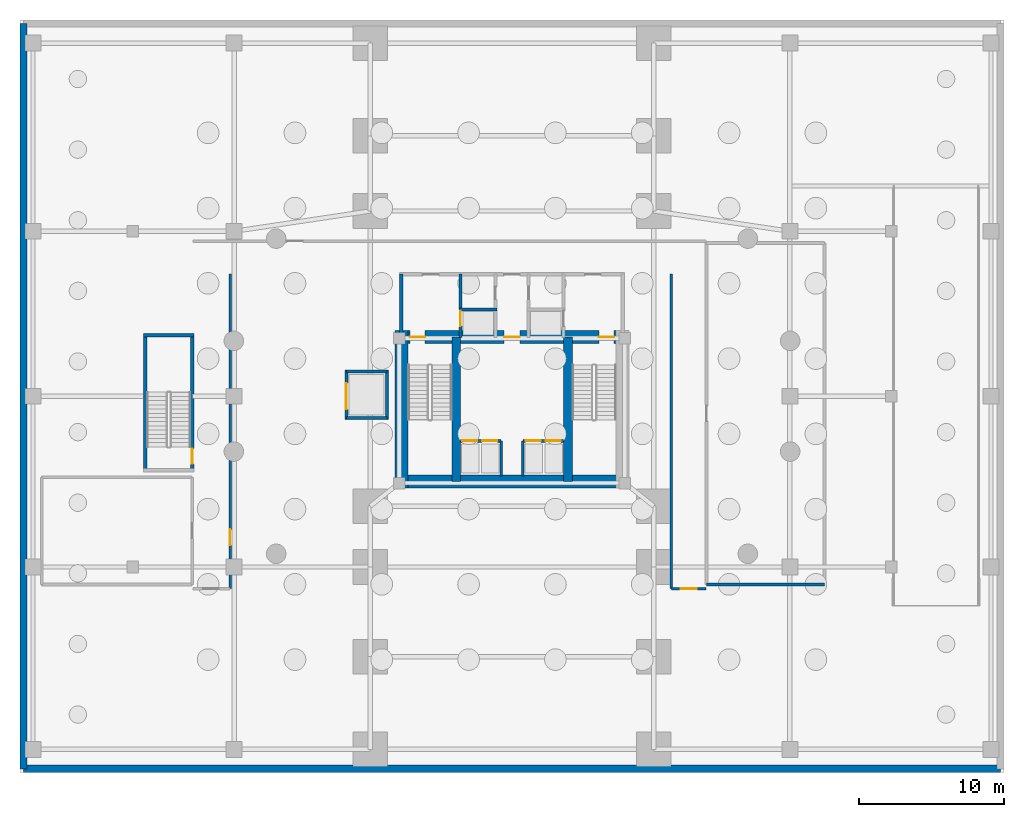
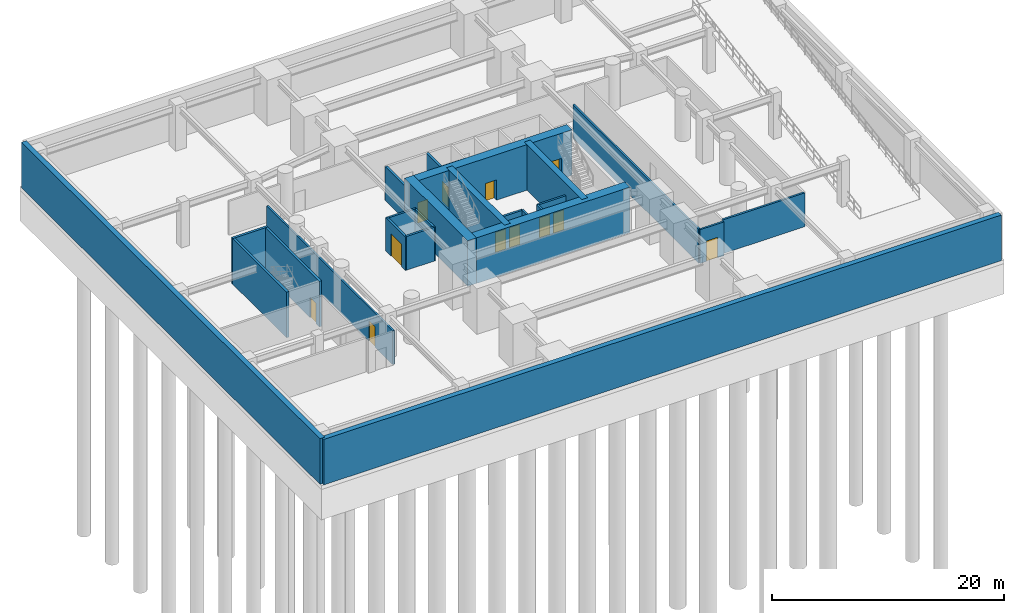
# One storey, part 3 of 8: 25 walls, 12 doors, 12 openings.
"""IFC4 building model written with IfcOpenShell, lengths in metres."""

from ifc_helpers import new_model, si_unit, direction, frame, frame_2d, origin, place, context, subcontext, project, spatial, rectangle, extrude, material, layer, layer_set, type_object, element, fill, save


model = new_model("IFC4")

# Units and contexts
model_context = context("Model", 3, precision=1e-05, world=origin(), true_north=direction((0.0, 1.0)))
body_context = subcontext(model_context, "Body", "Model", "MODEL_VIEW")
ifc_project = project(units=[si_unit("LENGTHUNIT", "METRE"), si_unit("AREAUNIT", "SQUARE_METRE"), si_unit("VOLUMEUNIT", "CUBIC_METRE"), si_unit("PLANEANGLEUNIT", "RADIAN"), si_unit("MASSUNIT", "GRAM", prefix="KILO"), si_unit("THERMODYNAMICTEMPERATUREUNIT", "KELVIN"), si_unit("POWERUNIT", "WATT")], contexts=[model_context])

# Site, building, storey
site_placement = place(None, origin())
site = spatial("IfcSite", under=ifc_project, at=site_placement, CompositionType="ELEMENT")
building_placement = place(site_placement, origin())
building = spatial("IfcBuilding", under=site, at=building_placement, Name="Ocrelia Relay Tower", CompositionType="ELEMENT")
storey_placement = place(building_placement, frame((0.0, 0.0, -9.60009765625)))
storey = spatial("IfcBuildingStorey", under=building, at=storey_placement, Name="B2", CompositionType="ELEMENT", Elevation=-9.60009765625)

# Wall
ifc_material_1 = material(Name="Concrete C70/85", Category="concrete")
ifc_layer_1 = layer(ifc_material_1, 0.89990234375, Name="Concrete C70/85")
ifc_layer_set_1 = layer_set([ifc_layer_1], Name="Concrete C70/85")
wall_type_1 = type_object("IfcWallType", Name="CW-CORE-900", PredefinedType="SHEAR", material=ifc_layer_set_1)
wall_1_placement = place(storey_placement, frame((25.922119140625, 20.112060546875, 0.0), z_axis=(0.0, 0.0, 1.0), x_axis=(1.0, 0.0, 0.0)))
element("IfcWall", 1, at=wall_1_placement, inside=storey, type_object=wall_type_1, Name="B2 Core Shear Wall S", PredefinedType="SHEAR", context=body_context, shape_type="SweptSolid", body=[
    extrude(rectangle(XDim=16.165771484375, YDim=0.89990234375, at=frame_2d((8.0830078125, 0.0))), origin(), (0.0, 0.0, 1.0), 4.800048828125),
])

# Wall, openings, doors
wall_2_placement = place(storey_placement, frame((25.922119140625, 30.087890625, 0.0), z_axis=(0.0, 0.0, 1.0), x_axis=(1.0, 0.0, 0.0)))
wall_2 = element("IfcWall", 2, at=wall_2_placement, inside=storey, type_object=wall_type_1, Name="B2 Core Shear Wall N", PredefinedType="SHEAR", context=body_context, shape_type="SweptSolid", body=[
    extrude(rectangle(XDim=16.165771484375, YDim=0.89990234375, at=frame_2d((8.0830078125, 0.0))), origin(), (0.0, 0.0, 1.0), 4.800048828125),
])
opening_1_placement = place(wall_2_placement, frame((1.028076171875, 0.0, 0.0)))
opening_1 = element("IfcOpeningElement", 3, at=opening_1_placement, cuts=wall_2, Name="Opening D-FD90", PredefinedType="OPENING", context=body_context, shape_type="SweptSolid", body=[
    extrude(rectangle(XDim=1.050048828125, YDim=2.14990234375, at=frame_2d((0.52490234375, 1.074951171875))), frame((0.0, 0.4599609375, 0.0), z_axis=(0.0, -1.0, 0.0), x_axis=(1.0, 0.0, 0.0)), (0.0, 0.0, 1.0), 0.919921875),
])
opening_2_placement = place(wall_2_placement, frame((14.077880859375, 0.0, 0.0)))
opening_2 = element("IfcOpeningElement", 4, at=opening_2_placement, cuts=wall_2, Name="Opening D-FD90", PredefinedType="OPENING", context=body_context, shape_type="SweptSolid", body=[
    extrude(rectangle(XDim=1.050048828125, YDim=2.14990234375, at=frame_2d((0.52490234375, 1.074951171875))), frame((0.0, 0.4599609375, 0.0), z_axis=(0.0, -1.0, 0.0), x_axis=(1.0, 0.0, 0.0)), (0.0, 0.0, 1.0), 0.919921875),
])
opening_3_placement = place(wall_2_placement, frame((7.528076171875, 0.0, 0.0)))
opening_3 = element("IfcOpeningElement", 5, at=opening_3_placement, cuts=wall_2, Name="Opening D-FD60", PredefinedType="OPENING", context=body_context, shape_type="SweptSolid", body=[
    extrude(rectangle(XDim=1.10009765625, YDim=2.14990234375, at=frame_2d((0.550048828125, 1.074951171875))), frame((0.0, 0.4599609375, 0.0), z_axis=(0.0, -1.0, 0.0), x_axis=(1.0, 0.0, 0.0)), (0.0, 0.0, 1.0), 0.919921875),
])
ifc_material_2 = material(Name="Timber-core 60-min acoustic fire door", Category="wood")
door_type_1 = type_object("IfcDoorType", Name="DR-LOBBY-FD60-1100", OperationType="NOTDEFINED", PredefinedType="DOOR", material=ifc_material_2)
door_1_placement = place(opening_3_placement, origin())
door_1 = element("IfcDoor", 6, at=door_1_placement, inside=storey, type_object=door_type_1, Name="B2 Core Lift Lobby North Fire Door", OperationType="SINGLE_SWING_RIGHT", OverallHeight=2.14990234375, OverallWidth=1.10009765625, PredefinedType="DOOR", context=body_context, shape_type="SweptSolid", body=[
    extrude(rectangle(XDim=1.10009765625, YDim=2.14990234375, at=frame_2d((0.550048828125, 1.074951171875))), frame((0.0, 0.02490234375, 0.0), z_axis=(0.0, -1.0, 0.0), x_axis=(1.0, 0.0, 0.0)), (0.0, 0.0, 1.0), 0.050048828125),
])
fill(opening_3, door_1)
ifc_material_3 = material(Name="Steel S355 90-min fire door", Category="steel")
door_type_2 = type_object("IfcDoorType", Name="DR-STAIR-FD90-1050", OperationType="NOTDEFINED", PredefinedType="DOOR", material=ifc_material_3)
door_2_placement = place(opening_1_placement, origin())
door_2 = element("IfcDoor", 7, at=door_2_placement, inside=storey, type_object=door_type_2, Name="B2 Stair ST1 Fire Door", OperationType="SINGLE_SWING_RIGHT", OverallHeight=2.14990234375, OverallWidth=1.050048828125, PredefinedType="DOOR", context=body_context, shape_type="SweptSolid", body=[
    extrude(rectangle(XDim=1.050048828125, YDim=2.14990234375, at=frame_2d((0.52490234375, 1.074951171875))), frame((0.0, 0.02490234375, 0.0), z_axis=(0.0, -1.0, 0.0), x_axis=(1.0, 0.0, 0.0)), (0.0, 0.0, 1.0), 0.050048828125),
])
fill(opening_1, door_2)
door_3_placement = place(opening_2_placement, origin())
door_3 = element("IfcDoor", 8, at=door_3_placement, inside=storey, type_object=door_type_2, Name="B2 Stair ST2 Fire Door", OperationType="SINGLE_SWING_LEFT", OverallHeight=2.14990234375, OverallWidth=1.050048828125, PredefinedType="DOOR", context=body_context, shape_type="SweptSolid", body=[
    extrude(rectangle(XDim=1.050048828125, YDim=2.14990234375, at=frame_2d((0.52490234375, 1.074951171875))), frame((0.0, 0.02490234375, 0.0), z_axis=(0.0, -1.0, 0.0), x_axis=(1.0, 0.0, 0.0)), (0.0, 0.0, 1.0), 0.050048828125),
])
fill(opening_2, door_3)

# Walls
wall_3_placement = place(storey_placement, frame((26.3720703125, 19.662109375, 0.0), z_axis=(0.0, 0.0, 1.0), x_axis=(0.0, 1.0, 0.0)))
element("IfcWall", 9, at=wall_3_placement, inside=storey, type_object=wall_type_1, Name="B2 Core Shear Wall W", PredefinedType="SHEAR", context=body_context, shape_type="SweptSolid", body=[
    extrude(rectangle(XDim=10.8759765625, YDim=0.89990234375, at=frame_2d((5.43798828125, 0.0))), origin(), (0.0, 0.0, 1.0), 4.800048828125),
])
for number, where, z_axis, x_axis, name in (
    (10, (30.137939453125, 20.112060546875, 0.0), (0.0, 0.0, 1.0), (0.0, 1.0, 0.0), "B2 Core Shear Wall SPW"),
    (11, (37.8720703125, 20.112060546875, 0.0), (0.0, 0.0, 1.0), (0.0, 1.0, 0.0), "B2 Core Shear Wall SPE"),
):
    element("IfcWall", number, at=place(storey_placement, frame(where, z_axis=z_axis, x_axis=x_axis)), inside=storey, type_object=wall_type_1, Name=name, PredefinedType="SHEAR", context=body_context, shape_type="SweptSolid", body=[
        extrude(rectangle(XDim=9.975830078125, YDim=0.60009765625, at=frame_2d((4.98779296875, 0.0))), origin(), (0.0, 0.0, 1.0), 4.800048828125),
    ])
ifc_material_4 = material(Name="Concrete C50/60", Category="concrete")
ifc_layer_2 = layer(ifc_material_4, 0.239990234375, Name="Concrete C50/60")
ifc_layer_set_2 = layer_set([ifc_layer_2], Name="Concrete C50/60")
wall_type_2 = type_object("IfcWallType", Name="CW-STAIR-240", PredefinedType="SHEAR", material=ifc_layer_set_2)
wall_4_placement = place(storey_placement, frame((8.531982421875, 30.2080078125, 0.0), z_axis=(0.0, 0.0, 1.0), x_axis=(1.0, 0.0, 0.0)))
element("IfcWall", 12, at=wall_4_placement, inside=storey, type_object=wall_type_2, Name="B2 Stair ST3 Structural Shaft N Wall", PredefinedType="SHEAR", context=body_context, shape_type="SweptSolid", body=[
    extrude(rectangle(XDim=3.49609375, YDim=0.239990234375, at=frame_2d((1.748046875, 0.0))), origin(), (0.0, 0.0, 1.0), 4.800048828125),
])
wall_5_placement = place(storey_placement, frame((8.652099609375, 20.77197265625, 0.0), z_axis=(0.0, 0.0, 1.0), x_axis=(0.0, 1.0, 0.0)))
element("IfcWall", 13, at=wall_5_placement, inside=storey, type_object=wall_type_2, Name="B2 Stair ST3 Structural Shaft W Wall", PredefinedType="SHEAR", context=body_context, shape_type="SweptSolid", body=[
    extrude(rectangle(XDim=9.555908203125, YDim=0.239990234375, at=frame_2d((4.77783203125, 0.0))), origin(), (0.0, 0.0, 1.0), 4.800048828125),
])

# Wall, opening, door
wall_6_placement = place(storey_placement, frame((11.907958984375, 20.77197265625, 0.0), z_axis=(0.0, 0.0, 1.0), x_axis=(0.0, 1.0, 0.0)))
wall_6 = element("IfcWall", 14, at=wall_6_placement, inside=storey, type_object=wall_type_2, Name="B2 Stair ST3 Structural Shaft E Wall", PredefinedType="SHEAR", context=body_context, shape_type="SweptSolid", body=[
    extrude(rectangle(XDim=9.555908203125, YDim=0.239990234375, at=frame_2d((4.77783203125, 0.0))), origin(), (0.0, 0.0, 1.0), 4.800048828125),
])
opening_4_placement = place(wall_6_placement, frame((0.550048828125, 0.0, 0.0)))
opening_4 = element("IfcOpeningElement", 15, at=opening_4_placement, cuts=wall_6, Name="Opening D-FD90", PredefinedType="OPENING", context=body_context, shape_type="SweptSolid", body=[
    extrude(rectangle(XDim=1.050048828125, YDim=2.14990234375, at=frame_2d((0.52490234375, 1.074951171875))), frame((0.0, 0.1298828125, 0.0), z_axis=(0.0, -1.0, 0.0), x_axis=(1.0, 0.0, 0.0)), (0.0, 0.0, 1.0), 0.260009765625),
])
door_4_placement = place(opening_4_placement, origin())
door_4 = element("IfcDoor", 16, at=door_4_placement, inside=storey, type_object=door_type_2, Name="B2 Stair ST3 Fire Door", OperationType="SINGLE_SWING_RIGHT", OverallHeight=2.14990234375, OverallWidth=1.050048828125, PredefinedType="DOOR", context=body_context, shape_type="SweptSolid", body=[
    extrude(rectangle(XDim=1.050048828125, YDim=2.14990234375, at=frame_2d((0.52490234375, 1.074951171875))), frame((0.0, 0.02490234375, 0.0), z_axis=(0.0, -1.0, 0.0), x_axis=(1.0, 0.0, 0.0)), (0.0, 0.0, 1.0), 0.050048828125),
])
fill(opening_4, door_4)

ifc_material_5 = material(Name="Gypsum Fireboard Partition EI60", Category="gypsum")
ifc_layer_3 = layer(ifc_material_5, 0.179931640625, Name="Gypsum Fireboard Partition EI60")
ifc_layer_set_3 = layer_set([ifc_layer_3], Name="Gypsum Fireboard Partition EI60")
wall_type_3 = type_object("IfcWallType", Name="W-CORR-EI60-180", PredefinedType="PARTITIONING", material=ifc_layer_set_3)
wall_7_placement = place(storey_placement, frame((14.52001953125, 12.699951171875, 0.0), z_axis=(0.0, 0.0, 1.0), x_axis=(0.0, 1.0, 0.0)))
wall_7 = element("IfcWall", 17, at=wall_7_placement, inside=storey, type_object=wall_type_3, Name="B2 Basement Corridor West Inner Wall", PredefinedType="PARTITIONING", context=body_context, shape_type="SweptSolid", body=[
    extrude(rectangle(XDim=21.72998046875, YDim=0.179931640625, at=frame_2d((10.864990234375, 0.0))), origin(), (0.0, 0.0, 1.0), 3.56005859375),
])
opening_5_placement = place(wall_7_placement, frame((3.0, 0.0, 0.0)))
opening_5 = element("IfcOpeningElement", 18, at=opening_5_placement, cuts=wall_7, Name="Opening D-FD60", PredefinedType="OPENING", context=body_context, shape_type="SweptSolid", body=[
    extrude(rectangle(XDim=1.10009765625, YDim=2.14990234375, at=frame_2d((0.550048828125, 1.074951171875))), frame((0.0, 0.10009765625, 0.0), z_axis=(0.0, -1.0, 0.0), x_axis=(1.0, 0.0, 0.0)), (0.0, 0.0, 1.0), 0.199951171875),
])
door_5_placement = place(opening_5_placement, origin())
door_5 = element("IfcDoor", 19, at=door_5_placement, inside=storey, type_object=door_type_1, Name="B2 Car Park South Vestibule Fire Door", OperationType="SINGLE_SWING_RIGHT", OverallHeight=2.14990234375, OverallWidth=1.10009765625, PredefinedType="DOOR", context=body_context, shape_type="SweptSolid", body=[
    extrude(rectangle(XDim=1.10009765625, YDim=2.14990234375, at=frame_2d((0.550048828125, 1.074951171875))), frame((0.0, 0.02490234375, 0.0), z_axis=(0.0, -1.0, 0.0), x_axis=(1.0, 0.0, 0.0)), (0.0, 0.0, 1.0), 0.050048828125),
])
fill(opening_5, door_5)

# Wall
wall_8_placement = place(storey_placement, frame((45.010009765625, 12.699951171875, 0.0), z_axis=(0.0, 0.0, 1.0), x_axis=(0.0, 1.0, 0.0)))
element("IfcWall", 20, at=wall_8_placement, inside=storey, type_object=wall_type_3, Name="B2 Basement Corridor East Inner Wall", PredefinedType="PARTITIONING", context=body_context, shape_type="SweptSolid", body=[
    extrude(rectangle(XDim=21.72998046875, YDim=0.179931640625, at=frame_2d((10.864990234375, 0.0))), origin(), (0.0, 0.0, 1.0), 3.56005859375),
])

# Wall, opening, door
wall_9_placement = place(storey_placement, frame((45.010009765625, 12.699951171875, 0.0), z_axis=(0.0, 0.0, 1.0), x_axis=(1.0, 0.0, 0.0)))
wall_9 = element("IfcWall", 21, at=wall_9_placement, inside=storey, type_object=wall_type_3, Name="B2 Basement Corridor East South End Wall", PredefinedType="PARTITIONING", context=body_context, shape_type="SweptSolid", body=[
    extrude(rectangle(XDim=2.389892578125, YDim=0.179931640625, at=frame_2d((1.19482421875, 0.0))), origin(), (0.0, 0.0, 1.0), 3.56005859375),
])
opening_6_placement = place(wall_9_placement, frame((0.64990234375, 0.0, 0.0)))
opening_6 = element("IfcOpeningElement", 22, at=opening_6_placement, cuts=wall_9, Name="Opening D-FD60", PredefinedType="OPENING", context=body_context, shape_type="SweptSolid", body=[
    extrude(rectangle(XDim=1.10009765625, YDim=2.14990234375, at=frame_2d((0.550048828125, 1.074951171875))), frame((0.0, 0.10009765625, 0.0), z_axis=(0.0, -1.0, 0.0), x_axis=(1.0, 0.0, 0.0)), (0.0, 0.0, 1.0), 0.199951171875),
])
door_6_placement = place(opening_6_placement, origin())
door_6 = element("IfcDoor", 23, at=door_6_placement, inside=storey, type_object=door_type_1, Name="B2 Car Park East Aisle Fire Door", OperationType="SINGLE_SWING_RIGHT", OverallHeight=2.14990234375, OverallWidth=1.10009765625, PredefinedType="DOOR", context=body_context, shape_type="SweptSolid", body=[
    extrude(rectangle(XDim=1.10009765625, YDim=2.14990234375, at=frame_2d((0.550048828125, 1.074951171875))), frame((0.0, 0.02490234375, 0.0), z_axis=(0.0, -1.0, 0.0), x_axis=(1.0, 0.0, 0.0)), (0.0, 0.0, 1.0), 0.050048828125),
])
fill(opening_6, door_6)

# Wall
ifc_layer_4 = layer(ifc_material_4, 0.219970703125, Name="Concrete C50/60")
ifc_layer_set_4 = layer_set([ifc_layer_4], Name="Concrete C50/60")
wall_type_4 = type_object("IfcWallType", Name="W-FFL-EI120-220", PredefinedType="SOLIDWALL", material=ifc_layer_set_4)
wall_10_placement = place(storey_placement, frame((26.35009765625, 30.050048828125, 0.0), z_axis=(0.0, 0.0, 1.0), x_axis=(0.0, 1.0, 0.0)))
element("IfcWall", 24, at=wall_10_placement, inside=storey, type_object=wall_type_4, Name="B2 W Fire Service Lift Lobby West Wall", PredefinedType="SOLIDWALL", context=body_context, shape_type="SweptSolid", body=[
    extrude(rectangle(XDim=4.3798828125, YDim=0.219970703125, at=frame_2d((2.18994140625, 0.0))), origin(), (0.0, 0.0, 1.0), 3.56005859375),
])

# Wall, opening, door
wall_11_placement = place(storey_placement, frame((30.43994140625, 30.050048828125, 0.0), z_axis=(0.0, 0.0, 1.0), x_axis=(0.0, 1.0, 0.0)))
wall_11 = element("IfcWall", 25, at=wall_11_placement, inside=storey, type_object=wall_type_4, Name="B2 W Fire Service Lift Lobby East Wall", PredefinedType="SOLIDWALL", context=body_context, shape_type="SweptSolid", body=[
    extrude(rectangle(XDim=4.3798828125, YDim=0.219970703125, at=frame_2d((2.18994140625, 0.0))), origin(), (0.0, 0.0, 1.0), 3.56005859375),
])
opening_7_placement = place(wall_11_placement, frame((0.800048828125, 0.0, 0.0)))
opening_7 = element("IfcOpeningElement", 26, at=opening_7_placement, cuts=wall_11, Name="Opening LD-FFL1", PredefinedType="OPENING", context=body_context, shape_type="SweptSolid", body=[
    extrude(rectangle(XDim=1.050048828125, YDim=2.10009765625, at=frame_2d((0.52490234375, 1.050048828125))), frame((0.0, 0.1201171875, 0.0), z_axis=(0.0, -1.0, 0.0), x_axis=(1.0, 0.0, 0.0)), (0.0, 0.0, 1.0), 0.239990234375),
])
ifc_material_6 = material(Name="Brushed stainless steel S355 lift landing door", Category="steel")
door_type_3 = type_object("IfcDoorType", Name="DR-LIFT-LAND-1050", OperationType="DOUBLE_DOOR_SLIDING", PredefinedType="USERDEFINED", material=ifc_material_6)
door_7_placement = place(opening_7_placement, origin())
door_7 = element("IfcDoor", 27, at=door_7_placement, inside=storey, type_object=door_type_3, Name="B2 Firefighting Lift FFL1 Sliding Landing Door", ObjectType="LANDING DOOR", OperationType="DOUBLE_DOOR_SLIDING", OverallHeight=2.10009765625, OverallWidth=1.050048828125, PredefinedType="USERDEFINED", context=body_context, shape_type="SweptSolid", body=[
    extrude(rectangle(XDim=1.050048828125, YDim=2.10009765625, at=frame_2d((0.52490234375, 1.050048828125))), frame((0.0, 0.02490234375, 0.0), z_axis=(0.0, -1.0, 0.0), x_axis=(1.0, 0.0, 0.0)), (0.0, 0.0, 1.0), 0.050048828125),
])
fill(opening_7, door_7)

# Walls
ifc_layer_5 = layer(ifc_material_4, 0.5, Name="Concrete C50/60")
ifc_layer_set_5 = layer_set([ifc_layer_5], Name="Concrete C50/60")
wall_type_5 = type_object("IfcWallType", Name="W-RET-500", PredefinedType="SOLIDWALL", material=ifc_layer_set_5)
wall_12_placement = place(storey_placement, frame((0.25, 0.25, 0.0), z_axis=(0.0, 0.0, 1.0), x_axis=(1.0, 0.0, 0.0)))
element("IfcWall", 28, at=wall_12_placement, inside=storey, type_object=wall_type_5, Name="B2 Perimeter Retaining Wall S", PredefinedType="SOLIDWALL", context=body_context, shape_type="SweptSolid", body=[
    extrude(rectangle(XDim=67.5, YDim=0.5, at=frame_2d((33.75, 0.0))), origin(), (0.0, 0.0, 1.0), 4.800048828125),
])
wall_13_placement = place(storey_placement, frame((0.25, 51.75, 0.0), z_axis=(0.0, 0.0, 1.0), x_axis=(0.0, -1.0, 0.0)))
element("IfcWall", 29, at=wall_13_placement, inside=storey, type_object=wall_type_5, Name="B2 Perimeter Retaining Wall W", PredefinedType="SOLIDWALL", context=body_context, shape_type="SweptSolid", body=[
    extrude(rectangle(XDim=51.5, YDim=0.5, at=frame_2d((25.75, 0.0))), origin(), (0.0, 0.0, 1.0), 4.800048828125),
])
ifc_layer_6 = layer(ifc_material_4, 0.199951171875, Name="Concrete C50/60")
ifc_layer_set_6 = layer_set([ifc_layer_6], Name="Concrete C50/60")
wall_type_6 = type_object("IfcWallType", Name="W-SHAFT-EI120-200", PredefinedType="SOLIDWALL", material=ifc_layer_set_6)
wall_14_placement = place(storey_placement, frame((30.39990234375, 32.0, 0.0), z_axis=(0.0, 0.0, 1.0), x_axis=(1.0, 0.0, 0.0)))
element("IfcWall", 30, at=wall_14_placement, inside=storey, type_object=wall_type_6, Name="B2 FFL1 Hoistway North Wall", PredefinedType="SOLIDWALL", context=body_context, shape_type="SweptSolid", body=[
    extrude(rectangle(XDim=2.550048828125, YDim=0.199951171875, at=frame_2d((1.27490234375, 0.0))), origin(), (0.0, 0.0, 1.0), 3.56005859375),
])

# Wall, openings, doors
wall_15_placement = place(storey_placement, frame((30.43994140625, 22.919921875, 0.0), z_axis=(0.0, 0.0, 1.0), x_axis=(1.0, 0.0, 0.0)))
wall_15 = element("IfcWall", 31, at=wall_15_placement, inside=storey, type_object=wall_type_6, Name="B2 Low-Rise Lift Hoistway Wall W", PredefinedType="SOLIDWALL", context=body_context, shape_type="SweptSolid", body=[
    extrude(rectangle(XDim=2.81005859375, YDim=0.199951171875, at=frame_2d((1.405029296875, 0.0))), origin(), (0.0, 0.0, 1.0), 3.56005859375),
])
opening_8_placement = place(wall_15_placement, frame((0.1201171875, 0.0, 0.0)))
opening_8 = element("IfcOpeningElement", 32, at=opening_8_placement, cuts=wall_15, Name="Opening LD-PL1", PredefinedType="OPENING", context=body_context, shape_type="SweptSolid", body=[
    extrude(rectangle(XDim=1.050048828125, YDim=2.10009765625, at=frame_2d((0.52490234375, 1.050048828125))), frame((0.0, 0.10986328125, 0.0), z_axis=(0.0, -1.0, 0.0), x_axis=(1.0, 0.0, 0.0)), (0.0, 0.0, 1.0), 0.219970703125),
])
opening_9_placement = place(wall_15_placement, frame((1.5, 0.0, 0.0)))
opening_9 = element("IfcOpeningElement", 33, at=opening_9_placement, cuts=wall_15, Name="Opening LD-PL2", PredefinedType="OPENING", context=body_context, shape_type="SweptSolid", body=[
    extrude(rectangle(XDim=1.050048828125, YDim=2.10009765625, at=frame_2d((0.52490234375, 1.050048828125))), frame((0.0, 0.10986328125, 0.0), z_axis=(0.0, -1.0, 0.0), x_axis=(1.0, 0.0, 0.0)), (0.0, 0.0, 1.0), 0.219970703125),
])
door_8_placement = place(opening_8_placement, origin())
door_8 = element("IfcDoor", 34, at=door_8_placement, inside=storey, type_object=door_type_3, Name="B2 Passenger Lift PL1 Sliding Landing Door", ObjectType="LANDING DOOR", OperationType="DOUBLE_DOOR_SLIDING", OverallHeight=2.10009765625, OverallWidth=1.050048828125, PredefinedType="USERDEFINED", context=body_context, shape_type="SweptSolid", body=[
    extrude(rectangle(XDim=1.050048828125, YDim=2.10009765625, at=frame_2d((0.52490234375, 1.050048828125))), frame((0.0, 0.02490234375, 0.0), z_axis=(0.0, -1.0, 0.0), x_axis=(1.0, 0.0, 0.0)), (0.0, 0.0, 1.0), 0.050048828125),
])
fill(opening_8, door_8)
door_9_placement = place(opening_9_placement, origin())
door_9 = element("IfcDoor", 35, at=door_9_placement, inside=storey, type_object=door_type_3, Name="B2 Passenger Lift PL2 Sliding Landing Door", ObjectType="LANDING DOOR", OperationType="DOUBLE_DOOR_SLIDING", OverallHeight=2.10009765625, OverallWidth=1.050048828125, PredefinedType="USERDEFINED", context=body_context, shape_type="SweptSolid", body=[
    extrude(rectangle(XDim=1.050048828125, YDim=2.10009765625, at=frame_2d((0.52490234375, 1.050048828125))), frame((0.0, 0.02490234375, 0.0), z_axis=(0.0, -1.0, 0.0), x_axis=(1.0, 0.0, 0.0)), (0.0, 0.0, 1.0), 0.050048828125),
])
fill(opening_9, door_9)

# Wall
wall_16_placement = place(storey_placement, frame((33.25, 20.5, 0.0), z_axis=(0.0, 0.0, 1.0), x_axis=(0.0, 1.0, 0.0)))
element("IfcWall", 36, at=wall_16_placement, inside=storey, type_object=wall_type_6, Name="B2 Low-Rise Lift Throat Wall W", PredefinedType="SOLIDWALL", context=body_context, shape_type="SweptSolid", body=[
    extrude(rectangle(XDim=2.419921875, YDim=0.179931640625, at=frame_2d((1.2099609375, 0.0))), origin(), (0.0, 0.0, 1.0), 3.56005859375),
])

# Wall, openings, doors
wall_17_placement = place(storey_placement, frame((34.75, 22.919921875, 0.0), z_axis=(0.0, 0.0, 1.0), x_axis=(1.0, 0.0, 0.0)))
wall_17 = element("IfcWall", 37, at=wall_17_placement, inside=storey, type_object=wall_type_6, Name="B2 Low-Rise Lift Hoistway Wall E", PredefinedType="SOLIDWALL", context=body_context, shape_type="SweptSolid", body=[
    extrude(rectangle(XDim=2.81005859375, YDim=0.199951171875, at=frame_2d((1.405029296875, 0.0))), origin(), (0.0, 0.0, 1.0), 3.56005859375),
])
opening_10_placement = place(wall_17_placement, frame((0.18994140625, 0.0, 0.0)))
opening_10 = element("IfcOpeningElement", 38, at=opening_10_placement, cuts=wall_17, Name="Opening LD-PL3", PredefinedType="OPENING", context=body_context, shape_type="SweptSolid", body=[
    extrude(rectangle(XDim=1.050048828125, YDim=2.10009765625, at=frame_2d((0.52490234375, 1.050048828125))), frame((0.0, 0.10986328125, 0.0), z_axis=(0.0, -1.0, 0.0), x_axis=(1.0, 0.0, 0.0)), (0.0, 0.0, 1.0), 0.219970703125),
])
opening_11_placement = place(wall_17_placement, frame((1.570068359375, 0.0, 0.0)))
opening_11 = element("IfcOpeningElement", 39, at=opening_11_placement, cuts=wall_17, Name="Opening LD-PL4", PredefinedType="OPENING", context=body_context, shape_type="SweptSolid", body=[
    extrude(rectangle(XDim=1.050048828125, YDim=2.10009765625, at=frame_2d((0.52490234375, 1.050048828125))), frame((0.0, 0.10986328125, 0.0), z_axis=(0.0, -1.0, 0.0), x_axis=(1.0, 0.0, 0.0)), (0.0, 0.0, 1.0), 0.219970703125),
])
door_10_placement = place(opening_10_placement, origin())
door_10 = element("IfcDoor", 40, at=door_10_placement, inside=storey, type_object=door_type_3, Name="B2 Passenger Lift PL3 Sliding Landing Door", ObjectType="LANDING DOOR", OperationType="DOUBLE_DOOR_SLIDING", OverallHeight=2.10009765625, OverallWidth=1.050048828125, PredefinedType="USERDEFINED", context=body_context, shape_type="SweptSolid", body=[
    extrude(rectangle(XDim=1.050048828125, YDim=2.10009765625, at=frame_2d((0.52490234375, 1.050048828125))), frame((0.0, 0.02490234375, 0.0), z_axis=(0.0, -1.0, 0.0), x_axis=(1.0, 0.0, 0.0)), (0.0, 0.0, 1.0), 0.050048828125),
])
fill(opening_10, door_10)
door_11_placement = place(opening_11_placement, origin())
door_11 = element("IfcDoor", 41, at=door_11_placement, inside=storey, type_object=door_type_3, Name="B2 Passenger Lift PL4 Sliding Landing Door", ObjectType="LANDING DOOR", OperationType="DOUBLE_DOOR_SLIDING", OverallHeight=2.10009765625, OverallWidth=1.050048828125, PredefinedType="USERDEFINED", context=body_context, shape_type="SweptSolid", body=[
    extrude(rectangle(XDim=1.050048828125, YDim=2.10009765625, at=frame_2d((0.52490234375, 1.050048828125))), frame((0.0, 0.02490234375, 0.0), z_axis=(0.0, -1.0, 0.0), x_axis=(1.0, 0.0, 0.0)), (0.0, 0.0, 1.0), 0.050048828125),
])
fill(opening_11, door_11)

# Wall
wall_18_placement = place(storey_placement, frame((34.75, 20.5, 0.0), z_axis=(0.0, 0.0, 1.0), x_axis=(0.0, 1.0, 0.0)))
element("IfcWall", 42, at=wall_18_placement, inside=storey, type_object=wall_type_6, Name="B2 Low-Rise Lift Throat Wall E", PredefinedType="SOLIDWALL", context=body_context, shape_type="SweptSolid", body=[
    extrude(rectangle(XDim=2.419921875, YDim=0.179931640625, at=frame_2d((1.2099609375, 0.0))), origin(), (0.0, 0.0, 1.0), 3.56005859375),
])

# Wall, opening, door
wall_19_placement = place(storey_placement, frame((22.550048828125, 24.39990234375, 0.0), z_axis=(0.0, 0.0, 1.0), x_axis=(0.0, 1.0, 0.0)))
wall_19 = element("IfcWall", 43, at=wall_19_placement, inside=storey, type_object=wall_type_6, Name="B2 Goods Lift Shaft West Wall", PredefinedType="SOLIDWALL", context=body_context, shape_type="SweptSolid", body=[
    extrude(rectangle(XDim=3.400146484375, YDim=0.199951171875, at=frame_2d((1.7001953125, 0.0))), origin(), (0.0, 0.0, 1.0), 3.56005859375),
])
opening_12_placement = place(wall_19_placement, frame((0.699951171875, 0.0, 0.0)))
opening_12 = element("IfcOpeningElement", 44, at=opening_12_placement, cuts=wall_19, Name="Opening LD-GL1", PredefinedType="OPENING", context=body_context, shape_type="SweptSolid", body=[
    extrude(rectangle(XDim=1.800048828125, YDim=2.39990234375, at=frame_2d((0.89990234375, 1.199951171875))), frame((0.0, 0.10986328125, 0.0), z_axis=(0.0, -1.0, 0.0), x_axis=(1.0, 0.0, 0.0)), (0.0, 0.0, 1.0), 0.219970703125),
])
ifc_material_7 = material(Name="Heavy-duty stainless steel S355 goods landing door", Category="steel")
door_type_4 = type_object("IfcDoorType", Name="DR-GOODS-LAND-1800", OperationType="DOUBLE_DOOR_SLIDING", PredefinedType="USERDEFINED", material=ifc_material_7)
door_12_placement = place(opening_12_placement, origin())
door_12 = element("IfcDoor", 45, at=door_12_placement, inside=storey, type_object=door_type_4, Name="B2 Goods Lift GL1 Sliding Landing Door", ObjectType="LANDING DOOR", OperationType="DOUBLE_DOOR_SLIDING", OverallHeight=2.39990234375, OverallWidth=1.800048828125, PredefinedType="USERDEFINED", context=body_context, shape_type="SweptSolid", body=[
    extrude(rectangle(XDim=1.800048828125, YDim=2.39990234375, at=frame_2d((0.89990234375, 1.199951171875))), frame((0.0, 0.02490234375, 0.0), z_axis=(0.0, -1.0, 0.0), x_axis=(1.0, 0.0, 0.0)), (0.0, 0.0, 1.0), 0.050048828125),
])
fill(opening_12, door_12)

# Walls
wall_20_placement = place(storey_placement, frame((25.35009765625, 24.39990234375, 0.0), z_axis=(0.0, 0.0, 1.0), x_axis=(0.0, 1.0, 0.0)))
element("IfcWall", 46, at=wall_20_placement, inside=storey, type_object=wall_type_6, Name="B2 Goods Lift Shaft E Wall", PredefinedType="SOLIDWALL", context=body_context, shape_type="SweptSolid", body=[
    extrude(rectangle(XDim=3.400146484375, YDim=0.199951171875, at=frame_2d((1.7001953125, 0.0))), origin(), (0.0, 0.0, 1.0), 3.56005859375),
])
for number, where, z_axis, x_axis, name in (
    (47, (22.550048828125, 24.5, 0.0), (0.0, 0.0, 1.0), (1.0, 0.0, 0.0), "B2 Goods Lift Shaft S Wall"),
    (48, (22.550048828125, 27.699951171875, 0.0), (0.0, 0.0, 1.0), (1.0, 0.0, 0.0), "B2 Goods Lift Shaft N Wall"),
):
    element("IfcWall", number, at=place(storey_placement, frame(where, z_axis=z_axis, x_axis=x_axis)), inside=storey, type_object=wall_type_6, Name=name, PredefinedType="SOLIDWALL", context=body_context, shape_type="SweptSolid", body=[
        extrude(rectangle(XDim=2.800048828125, YDim=0.199951171875, at=frame_2d((1.39990234375, 0.0))), origin(), (0.0, 0.0, 1.0), 3.56005859375),
    ])
wall_21_placement = place(storey_placement, frame((47.449951171875, 13.0, 0.0), z_axis=(0.0, 0.0, 1.0), x_axis=(1.0, 0.0, 0.0)))
element("IfcWall", 49, at=wall_21_placement, inside=storey, type_object=wall_type_6, Name="B2 Chilled Water Primary Pump Room S Partition", PredefinedType="SOLIDWALL", context=body_context, shape_type="SweptSolid", body=[
    extrude(rectangle(XDim=8.150146484375, YDim=0.199951171875, at=frame_2d((4.0751953125, 0.0))), origin(), (0.0, 0.0, 1.0), 3.56005859375),
])

save(model, "model.ifc")
